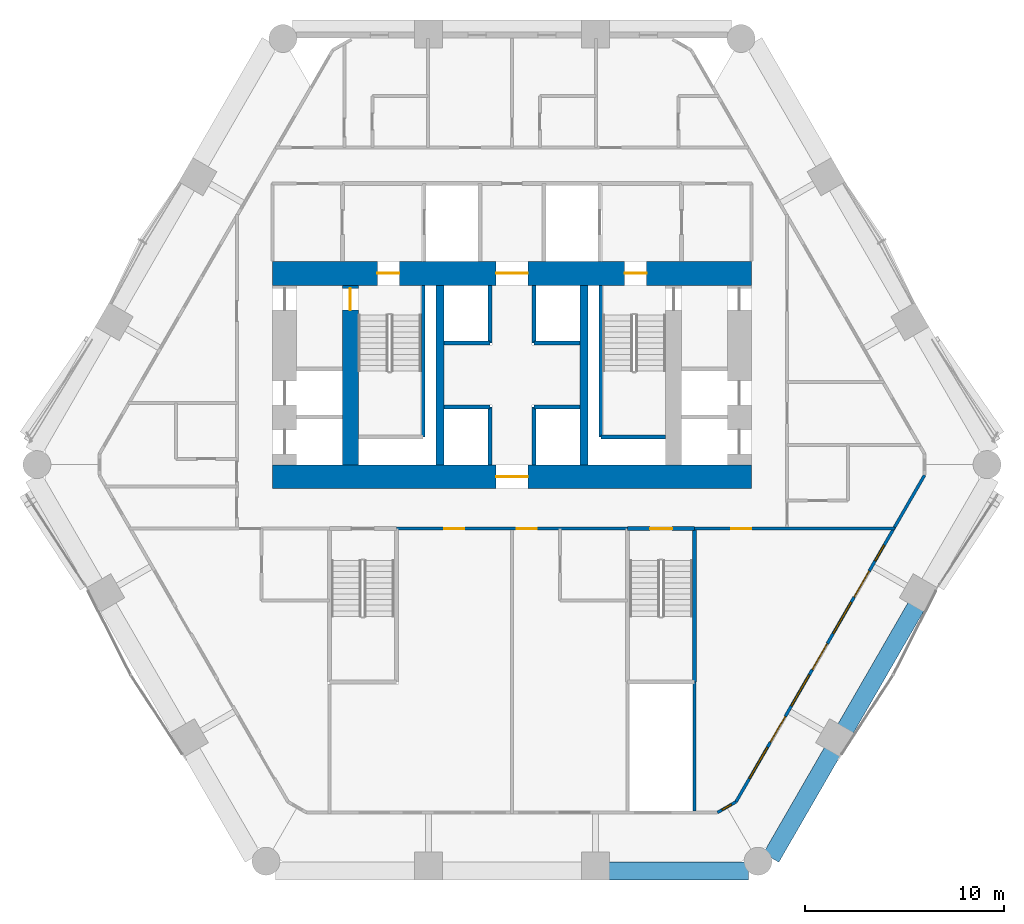
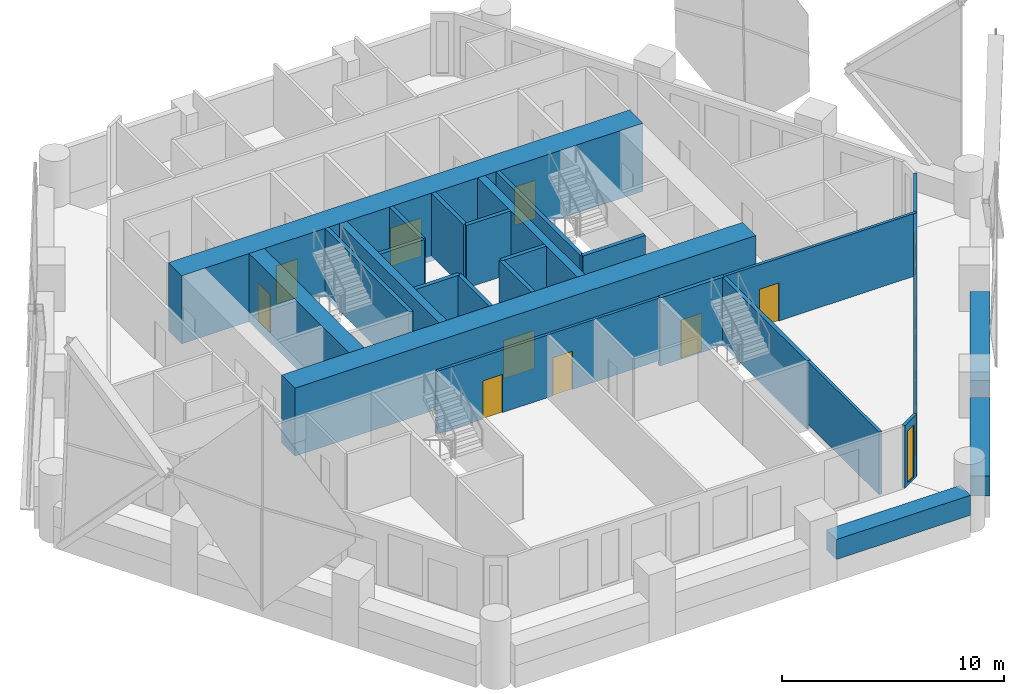
# One storey, part 10 of 16: 26 walls, 12 doors, 5 windows, 17 openings.
"""IFC4 building model written with IfcOpenShell, lengths in metres."""

from ifc_helpers import new_model, si_unit, direction, frame, frame_2d, origin, place, context, subcontext, project, spatial, rectangle, extrude, material, layer, layer_set, type_object, element, fill, save


model = new_model("IFC4")

# Units and contexts
model_context = context("Model", 3, precision=1e-05, world=origin(), true_north=direction((0.0, 1.0)))
body_context = subcontext(model_context, "Body", "Model", "MODEL_VIEW")
ifc_project = project(units=[si_unit("LENGTHUNIT", "METRE"), si_unit("AREAUNIT", "SQUARE_METRE"), si_unit("VOLUMEUNIT", "CUBIC_METRE"), si_unit("PLANEANGLEUNIT", "RADIAN"), si_unit("MASSUNIT", "GRAM", prefix="KILO")], contexts=[model_context])

# Site, building, storey
site_placement = place(None, origin())
site = spatial("IfcSite", under=ifc_project, at=site_placement, CompositionType="ELEMENT")
building_placement = place(site_placement, origin())
building = spatial("IfcBuilding", under=site, at=building_placement, Name="Ostrander Bayou Hotel Tower", CompositionType="ELEMENT")
storey_placement = place(building_placement, frame((0.0, 0.0, 58.0)))
storey = spatial("IfcBuildingStorey", under=building, at=storey_placement, Name="L14", CompositionType="ELEMENT", Elevation=58.0)

# Wall, opening, door
ifc_material_1 = material(Name="Concrete f'c 70 MPa", Category="concrete")
ifc_layer_1 = layer(ifc_material_1, 1.199951171875)
ifc_layer_set_1 = layer_set([ifc_layer_1], Name="CW1 core wall 1200 mm f'c 70 MPa")
wall_type_1 = type_object("IfcWallType", Name="CW1 core wall 1200 mm f'c 70 MPa", PredefinedType="SHEAR", material=ifc_layer_set_1)
wall_1_placement = place(storey_placement, frame((-12.0, -1.10009765625, -0.300048828125), z_axis=(0.0, 0.0, 1.0), x_axis=(1.0, 0.0, 0.0)))
wall_1 = element("IfcWall", 1, at=wall_1_placement, inside=storey, type_object=wall_type_1, Name="CW1 L14 S", PredefinedType="SHEAR", context=body_context, shape_type="SweptSolid", body=[
    extrude(rectangle(XDim=24.0, YDim=1.199951171875, at=frame_2d((12.0, 0.0))), origin(), (0.0, 0.0, 1.0), 3.75),
])
opening_1_placement = place(wall_1_placement, frame((11.199951171875, 0.0, 0.0)))
opening_1 = element("IfcOpeningElement", 2, at=opening_1_placement, cuts=wall_1, Name="Opening T12-001", PredefinedType="OPENING", context=body_context, shape_type="SweptSolid", body=[
    extrude(rectangle(XDim=1.60009765625, YDim=2.10009765625, at=frame_2d((0.800048828125, 1.050048828125))), frame((0.0, 0.60009765625, 0.0), z_axis=(0.0, -1.0, 0.0), x_axis=(1.0, 0.0, 0.0)), (0.0, 0.0, 1.0), 1.199951171875),
])
ifc_material_2 = material(Name="Timber door leaf", Category="wood")
door_type_1 = type_object("IfcDoorType", Name="D13 double door 1600 x 2100 mm, 1 hour", OperationType="SINGLE_SWING_LEFT", PredefinedType="DOOR", material=ifc_material_2)
door_1_placement = place(opening_1_placement, origin())
door_1 = element("IfcDoor", 3, at=door_1_placement, inside=storey, type_object=door_type_1, Name="dr:L14:001", OperationType="DOUBLE_DOOR_SINGLE_SWING", OverallHeight=2.10009765625, OverallWidth=1.60009765625, PredefinedType="DOOR", context=body_context, shape_type="SweptSolid", body=[
    extrude(rectangle(XDim=1.60009765625, YDim=2.10009765625, at=frame_2d((0.800048828125, 1.050048828125))), frame((0.0, 0.02490234375, 0.0), z_axis=(0.0, -1.0, 0.0), x_axis=(1.0, 0.0, 0.0)), (0.0, 0.0, 1.0), 0.050048828125),
])
fill(opening_1, door_1)

# Wall, openings, doors
wall_2_placement = place(storey_placement, frame((-12.0, 9.10009765625, -0.300048828125), z_axis=(0.0, 0.0, 1.0), x_axis=(1.0, 0.0, 0.0)))
wall_2 = element("IfcWall", 4, at=wall_2_placement, inside=storey, type_object=wall_type_1, Name="CW1 L14 N", PredefinedType="SHEAR", context=body_context, shape_type="SweptSolid", body=[
    extrude(rectangle(XDim=24.0, YDim=1.199951171875, at=frame_2d((12.0, 0.0))), origin(), (0.0, 0.0, 1.0), 3.75),
])
opening_2_placement = place(wall_2_placement, frame((11.199951171875, 0.0, 0.0)))
opening_2 = element("IfcOpeningElement", 5, at=opening_2_placement, cuts=wall_2, Name="Opening T12-002", PredefinedType="OPENING", context=body_context, shape_type="SweptSolid", body=[
    extrude(rectangle(XDim=1.60009765625, YDim=2.10009765625, at=frame_2d((0.800048828125, 1.050048828125))), frame((0.0, 0.60009765625, 0.0), z_axis=(0.0, -1.0, 0.0), x_axis=(1.0, 0.0, 0.0)), (0.0, 0.0, 1.0), 1.199951171875),
])
opening_3_placement = place(wall_2_placement, frame((5.25, 0.0, 0.0)))
opening_3 = element("IfcOpeningElement", 6, at=opening_3_placement, cuts=wall_2, Name="Opening T12-003", PredefinedType="OPENING", context=body_context, shape_type="SweptSolid", body=[
    extrude(rectangle(XDim=1.10009765625, YDim=2.10009765625, at=frame_2d((0.550048828125, 1.050048828125))), frame((0.0, 0.60009765625, 0.0), z_axis=(0.0, -1.0, 0.0), x_axis=(1.0, 0.0, 0.0)), (0.0, 0.0, 1.0), 1.199951171875),
])
opening_4_placement = place(wall_2_placement, frame((17.64990234375, 0.0, 0.0)))
opening_4 = element("IfcOpeningElement", 7, at=opening_4_placement, cuts=wall_2, Name="Opening T12-005", PredefinedType="OPENING", context=body_context, shape_type="SweptSolid", body=[
    extrude(rectangle(XDim=1.10009765625, YDim=2.10009765625, at=frame_2d((0.550048828125, 1.050048828125))), frame((0.0, 0.60009765625, 0.0), z_axis=(0.0, -1.0, 0.0), x_axis=(1.0, 0.0, 0.0)), (0.0, 0.0, 1.0), 1.199951171875),
])
door_2_placement = place(opening_2_placement, origin())
door_2 = element("IfcDoor", 8, at=door_2_placement, inside=storey, type_object=door_type_1, Name="dr:L14:002", OperationType="DOUBLE_DOOR_SINGLE_SWING", OverallHeight=2.10009765625, OverallWidth=1.60009765625, PredefinedType="DOOR", context=body_context, shape_type="SweptSolid", body=[
    extrude(rectangle(XDim=1.60009765625, YDim=2.10009765625, at=frame_2d((0.800048828125, 1.050048828125))), frame((0.0, 0.02490234375, 0.0), z_axis=(0.0, -1.0, 0.0), x_axis=(1.0, 0.0, 0.0)), (0.0, 0.0, 1.0), 0.050048828125),
])
fill(opening_2, door_2)
ifc_material_3 = material(Name="Timber door leaf", Category="wood")
door_type_2 = type_object("IfcDoorType", Name="D5 stair door 1100 x 2100 mm, 90 minute", OperationType="SINGLE_SWING_LEFT", PredefinedType="DOOR", material=ifc_material_3)
door_3_placement = place(opening_3_placement, origin())
door_3 = element("IfcDoor", 9, at=door_3_placement, inside=storey, type_object=door_type_2, Name="dr:L14:003", OperationType="SINGLE_SWING_LEFT", OverallHeight=2.10009765625, OverallWidth=1.10009765625, PredefinedType="DOOR", context=body_context, shape_type="SweptSolid", body=[
    extrude(rectangle(XDim=1.10009765625, YDim=2.10009765625, at=frame_2d((0.550048828125, 1.050048828125))), frame((0.0, 0.02490234375, 0.0), z_axis=(0.0, -1.0, 0.0), x_axis=(1.0, 0.0, 0.0)), (0.0, 0.0, 1.0), 0.050048828125),
])
fill(opening_3, door_3)
door_4_placement = place(opening_4_placement, origin())
door_4 = element("IfcDoor", 10, at=door_4_placement, inside=storey, type_object=door_type_2, Name="dr:L14:005", OperationType="SINGLE_SWING_RIGHT", OverallHeight=2.10009765625, OverallWidth=1.10009765625, PredefinedType="DOOR", context=body_context, shape_type="SweptSolid", body=[
    extrude(rectangle(XDim=1.10009765625, YDim=2.10009765625, at=frame_2d((0.550048828125, 1.050048828125))), frame((0.0, 0.02490234375, 0.0), z_axis=(0.0, -1.0, 0.0), x_axis=(1.0, 0.0, 0.0)), (0.0, 0.0, 1.0), 0.050048828125),
])
fill(opening_4, door_4)

# Wall, opening, door
ifc_material_4 = material(Name="Concrete f'c 70 MPa", Category="concrete")
ifc_layer_2 = layer(ifc_material_4, 0.800048828125)
ifc_layer_set_2 = layer_set([ifc_layer_2], Name="CW2 core spine wall 800 mm f'c 70 MPa")
wall_type_2 = type_object("IfcWallType", Name="CW2 core spine wall 800 mm f'c 70 MPa", PredefinedType="SHEAR", material=ifc_layer_set_2)
wall_3_placement = place(storey_placement, frame((-8.10009765625, -0.5, -0.300048828125), z_axis=(0.0, 0.0, 1.0), x_axis=(0.0, 1.0, 0.0)))
wall_3 = element("IfcWall", 11, at=wall_3_placement, inside=storey, type_object=wall_type_2, Name="CW2 L14 W", PredefinedType="SHEAR", context=body_context, shape_type="SweptSolid", body=[
    extrude(rectangle(XDim=9.0, YDim=0.800048828125, at=frame_2d((4.5, 0.0))), origin(), (0.0, 0.0, 1.0), 3.75),
])
opening_5_placement = place(wall_3_placement, frame((7.75, 0.0, 0.0)))
opening_5 = element("IfcOpeningElement", 12, at=opening_5_placement, cuts=wall_3, Name="Opening T12-004", PredefinedType="OPENING", context=body_context, shape_type="SweptSolid", body=[
    extrude(rectangle(XDim=1.10009765625, YDim=2.10009765625, at=frame_2d((0.550048828125, 1.050048828125))), frame((0.0, 0.39990234375, 0.0), z_axis=(0.0, -1.0, 0.0), x_axis=(1.0, 0.0, 0.0)), (0.0, 0.0, 1.0), 0.800048828125),
])
door_5_placement = place(opening_5_placement, origin())
door_5 = element("IfcDoor", 13, at=door_5_placement, inside=storey, type_object=door_type_2, Name="dr:L14:004", OperationType="SINGLE_SWING_RIGHT", OverallHeight=2.10009765625, OverallWidth=1.10009765625, PredefinedType="DOOR", context=body_context, shape_type="SweptSolid", body=[
    extrude(rectangle(XDim=1.10009765625, YDim=2.10009765625, at=frame_2d((0.550048828125, 1.050048828125))), frame((0.0, 0.02490234375, 0.0), z_axis=(0.0, -1.0, 0.0), x_axis=(1.0, 0.0, 0.0)), (0.0, 0.0, 1.0), 0.050048828125),
])
fill(opening_5, door_5)

# Walls
ifc_material_5 = material(Name="Concrete f'c 70 MPa", Category="concrete")
ifc_layer_3 = layer(ifc_material_5, 0.39990234375)
ifc_layer_set_3 = layer_set([ifc_layer_3], Name="CW3 core bank wall 400 mm f'c 70 MPa")
wall_type_3 = type_object("IfcWallType", Name="CW3 core bank wall 400 mm f'c 70 MPa", PredefinedType="SHEAR", material=ifc_layer_set_3)
for number, where, z_axis, x_axis, name in (
    (14, (-3.60009765625, -0.5, -0.300048828125), (0.0, 0.0, 1.0), (0.0, 1.0, 0.0), "CW3 L14 CW"),
    (15, (3.60009765625, -0.5, -0.300048828125), (0.0, 0.0, 1.0), (0.0, 1.0, 0.0), "CW3 L14 CE"),
):
    element("IfcWall", number, at=place(storey_placement, frame(where, z_axis=z_axis, x_axis=x_axis)), inside=storey, type_object=wall_type_3, Name=name, PredefinedType="SHEAR", context=body_context, shape_type="SweptSolid", body=[
        extrude(rectangle(XDim=9.0, YDim=0.39990234375, at=frame_2d((4.5, 0.0))), origin(), (0.0, 0.0, 1.0), 3.75),
    ])

# Wall, openings, doors, windows
ifc_material_6 = material(Name="Aluminium framed insulated wall", Category="aluminium")
ifc_layer_4 = layer(ifc_material_6, 0.14990234375)
ifc_layer_set_4 = layer_set([ifc_layer_4], Name="GW1 glass-line wall 150 mm")
wall_type_4 = type_object("IfcWallType", Name="GW1 glass-line wall 150 mm", PredefinedType="SOLIDWALL", material=ifc_layer_set_4)
wall_4_placement = place(storey_placement, frame((11.228515625, -17.401611328125, 0.0), z_axis=(0.0, 0.0, 1.0), x_axis=(0.500004426522, 0.866022848116, 0.0)))
wall_4 = element("IfcWall", 16, at=wall_4_placement, inside=storey, type_object=wall_type_4, Name="GW1 L14 SE 1", PredefinedType="SOLIDWALL", context=body_context, shape_type="SweptSolid", body=[
    extrude(rectangle(XDim=18.911865234375, YDim=0.14990234375, at=frame_2d((9.4560546875, 0.0))), origin(), (0.0, 0.0, 1.0), 3.449951171875),
])
opening_6_placement = place(wall_4_placement, frame((1.35595703125, 0.0, 0.14990234375)))
opening_6 = element("IfcOpeningElement", 17, at=opening_6_placement, cuts=wall_4, Name="Opening W1", PredefinedType="OPENING", context=body_context, shape_type="SweptSolid", body=[
    extrude(rectangle(XDim=1.800048828125, YDim=2.85009765625, at=frame_2d((0.89990234375, 1.425048828125))), frame((0.0, 0.074951171875, 0.0), z_axis=(0.0, -1.0, 0.0), x_axis=(1.0, 0.0, 0.0)), (0.0, 0.0, 1.0), 0.14990234375),
])
opening_7_placement = place(wall_4_placement, frame((3.455810546875, 0.0, 0.0)))
opening_7 = element("IfcOpeningElement", 18, at=opening_7_placement, cuts=wall_4, Name="Opening T12-804", PredefinedType="OPENING", context=body_context, shape_type="SweptSolid", body=[
    extrude(rectangle(XDim=1.5, YDim=2.39990234375, at=frame_2d((0.75, 1.199951171875))), frame((0.0, 0.074951171875, 0.0), z_axis=(0.0, -1.0, 0.0), x_axis=(1.0, 0.0, 0.0)), (0.0, 0.0, 1.0), 0.14990234375),
])
opening_8_placement = place(wall_4_placement, frame((5.555908203125, 0.0, 0.14990234375)))
opening_8 = element("IfcOpeningElement", 19, at=opening_8_placement, cuts=wall_4, Name="Opening W1", PredefinedType="OPENING", context=body_context, shape_type="SweptSolid", body=[
    extrude(rectangle(XDim=1.800048828125, YDim=2.85009765625, at=frame_2d((0.89990234375, 1.425048828125))), frame((0.0, 0.074951171875, 0.0), z_axis=(0.0, -1.0, 0.0), x_axis=(1.0, 0.0, 0.0)), (0.0, 0.0, 1.0), 0.14990234375),
])
opening_9_placement = place(wall_4_placement, frame((7.656005859375, 0.0, 0.0)))
opening_9 = element("IfcOpeningElement", 20, at=opening_9_placement, cuts=wall_4, Name="Opening T12-805", PredefinedType="OPENING", context=body_context, shape_type="SweptSolid", body=[
    extrude(rectangle(XDim=1.5, YDim=2.39990234375, at=frame_2d((0.75, 1.199951171875))), frame((0.0, 0.074951171875, 0.0), z_axis=(0.0, -1.0, 0.0), x_axis=(1.0, 0.0, 0.0)), (0.0, 0.0, 1.0), 0.14990234375),
])
opening_10_placement = place(wall_4_placement, frame((9.755859375, 0.0, 0.14990234375)))
opening_10 = element("IfcOpeningElement", 21, at=opening_10_placement, cuts=wall_4, Name="Opening W1", PredefinedType="OPENING", context=body_context, shape_type="SweptSolid", body=[
    extrude(rectangle(XDim=1.800048828125, YDim=2.85009765625, at=frame_2d((0.89990234375, 1.425048828125))), frame((0.0, 0.074951171875, 0.0), z_axis=(0.0, -1.0, 0.0), x_axis=(1.0, 0.0, 0.0)), (0.0, 0.0, 1.0), 0.14990234375),
])
opening_11_placement = place(wall_4_placement, frame((11.85595703125, 0.0, 0.0)))
opening_11 = element("IfcOpeningElement", 22, at=opening_11_placement, cuts=wall_4, Name="Opening T12-806", PredefinedType="OPENING", context=body_context, shape_type="SweptSolid", body=[
    extrude(rectangle(XDim=1.5, YDim=2.39990234375, at=frame_2d((0.75, 1.199951171875))), frame((0.0, 0.074951171875, 0.0), z_axis=(0.0, -1.0, 0.0), x_axis=(1.0, 0.0, 0.0)), (0.0, 0.0, 1.0), 0.14990234375),
])
opening_12_placement = place(wall_4_placement, frame((13.955810546875, 0.0, 0.14990234375)))
opening_12 = element("IfcOpeningElement", 23, at=opening_12_placement, cuts=wall_4, Name="Opening W15", PredefinedType="OPENING", context=body_context, shape_type="SweptSolid", body=[
    extrude(rectangle(XDim=0.89990234375, YDim=2.85009765625, at=frame_2d((0.449951171875, 1.425048828125))), frame((0.0, 0.074951171875, 0.0), z_axis=(0.0, -1.0, 0.0), x_axis=(1.0, 0.0, 0.0)), (0.0, 0.0, 1.0), 0.14990234375),
])
ifc_material_7 = material(Name="Aluminium and clear glass", Category="aluminium")
door_type_3 = type_object("IfcDoorType", Name="SD1 sliding glass door 1500 mm, zone 1", OperationType="SLIDING_TO_LEFT", PredefinedType="DOOR", material=ifc_material_7)
door_6_placement = place(opening_7_placement, origin())
door_6 = element("IfcDoor", 24, at=door_6_placement, inside=storey, type_object=door_type_3, Name="SD1 L14 SE 1", OperationType="SLIDING_TO_LEFT", OverallHeight=2.39990234375, OverallWidth=1.5, PredefinedType="DOOR", context=body_context, shape_type="SweptSolid", body=[
    extrude(rectangle(XDim=1.5, YDim=2.39990234375, at=frame_2d((0.75, 1.199951171875))), frame((0.0, 0.02490234375, 0.0), z_axis=(0.0, -1.0, 0.0), x_axis=(1.0, 0.0, 0.0)), (0.0, 0.0, 1.0), 0.050048828125),
])
fill(opening_7, door_6)
door_7_placement = place(opening_9_placement, origin())
door_7 = element("IfcDoor", 25, at=door_7_placement, inside=storey, type_object=door_type_3, Name="SD1 L14 SE 2", OperationType="SLIDING_TO_RIGHT", OverallHeight=2.39990234375, OverallWidth=1.5, PredefinedType="DOOR", context=body_context, shape_type="SweptSolid", body=[
    extrude(rectangle(XDim=1.5, YDim=2.39990234375, at=frame_2d((0.75, 1.199951171875))), frame((0.0, 0.02490234375, 0.0), z_axis=(0.0, -1.0, 0.0), x_axis=(1.0, 0.0, 0.0)), (0.0, 0.0, 1.0), 0.050048828125),
])
fill(opening_9, door_7)
door_8_placement = place(opening_11_placement, origin())
door_8 = element("IfcDoor", 26, at=door_8_placement, inside=storey, type_object=door_type_3, Name="SD1 L14 SE 3", OperationType="SLIDING_TO_LEFT", OverallHeight=2.39990234375, OverallWidth=1.5, PredefinedType="DOOR", context=body_context, shape_type="SweptSolid", body=[
    extrude(rectangle(XDim=1.5, YDim=2.39990234375, at=frame_2d((0.75, 1.199951171875))), frame((0.0, 0.02490234375, 0.0), z_axis=(0.0, -1.0, 0.0), x_axis=(1.0, 0.0, 0.0)), (0.0, 0.0, 1.0), 0.050048828125),
])
fill(opening_11, door_8)
ifc_material_8 = material(Name="Aluminium and clear glass", Category="aluminium")
window_type_1 = type_object("IfcWindowType", Name="W1 fixed window 1800 mm, zone 1", PartitioningType="SINGLE_PANEL", PredefinedType="WINDOW", material=ifc_material_8)
window_1_placement = place(opening_6_placement, origin())
window_1 = element("IfcWindow", 27, at=window_1_placement, inside=storey, type_object=window_type_1, Name="W1 L14 SE 1", OverallHeight=2.85009765625, OverallWidth=1.800048828125, PartitioningType="SINGLE_PANEL", PredefinedType="WINDOW", context=body_context, shape_type="SweptSolid", body=[
    extrude(rectangle(XDim=1.800048828125, YDim=2.85009765625, at=frame_2d((0.89990234375, 1.425048828125))), frame((0.0, 0.030029296875, 0.0), z_axis=(0.0, -1.0, 0.0), x_axis=(1.0, 0.0, 0.0)), (0.0, 0.0, 1.0), 0.06005859375),
])
fill(opening_6, window_1)
window_2_placement = place(opening_8_placement, origin())
window_2 = element("IfcWindow", 28, at=window_2_placement, inside=storey, type_object=window_type_1, Name="W1 L14 SE 2", OverallHeight=2.85009765625, OverallWidth=1.800048828125, PartitioningType="SINGLE_PANEL", PredefinedType="WINDOW", context=body_context, shape_type="SweptSolid", body=[
    extrude(rectangle(XDim=1.800048828125, YDim=2.85009765625, at=frame_2d((0.89990234375, 1.425048828125))), frame((0.0, 0.030029296875, 0.0), z_axis=(0.0, -1.0, 0.0), x_axis=(1.0, 0.0, 0.0)), (0.0, 0.0, 1.0), 0.06005859375),
])
fill(opening_8, window_2)
window_3_placement = place(opening_10_placement, origin())
window_3 = element("IfcWindow", 29, at=window_3_placement, inside=storey, type_object=window_type_1, Name="W1 L14 SE 3", OverallHeight=2.85009765625, OverallWidth=1.800048828125, PartitioningType="SINGLE_PANEL", PredefinedType="WINDOW", context=body_context, shape_type="SweptSolid", body=[
    extrude(rectangle(XDim=1.800048828125, YDim=2.85009765625, at=frame_2d((0.89990234375, 1.425048828125))), frame((0.0, 0.030029296875, 0.0), z_axis=(0.0, -1.0, 0.0), x_axis=(1.0, 0.0, 0.0)), (0.0, 0.0, 1.0), 0.06005859375),
])
fill(opening_10, window_3)
ifc_material_9 = material(Name="Aluminium and clear glass", Category="aluminium")
window_type_2 = type_object("IfcWindowType", Name="W15 window 900 mm, zone 1", PartitioningType="SINGLE_PANEL", PredefinedType="WINDOW", material=ifc_material_9)
window_4_placement = place(opening_12_placement, origin())
window_4 = element("IfcWindow", 30, at=window_4_placement, inside=storey, type_object=window_type_2, Name="W15 L14 SE 4", OverallHeight=2.85009765625, OverallWidth=0.89990234375, PartitioningType="SINGLE_PANEL", PredefinedType="WINDOW", context=body_context, shape_type="SweptSolid", body=[
    extrude(rectangle(XDim=0.89990234375, YDim=2.85009765625, at=frame_2d((0.449951171875, 1.425048828125))), frame((0.0, 0.030029296875, 0.0), z_axis=(0.0, -1.0, 0.0), x_axis=(1.0, 0.0, 0.0)), (0.0, 0.0, 1.0), 0.06005859375),
])
fill(opening_12, window_4)

# Wall, opening, window
wall_5_placement = place(storey_placement, frame((10.306396484375, -17.93408203125, 0.0), z_axis=(0.0, 0.0, 1.0), x_axis=(0.865990848561, 0.500059846627, 0.0)))
wall_5 = element("IfcWall", 31, at=wall_5_placement, inside=storey, type_object=wall_type_4, Name="GW1 L14 corner 4", PredefinedType="SOLIDWALL", context=body_context, shape_type="SweptSolid", body=[
    extrude(rectangle(XDim=1.064697265625, YDim=0.14990234375, at=frame_2d((0.5322265625, 0.0))), origin(), (0.0, 0.0, 1.0), 3.449951171875),
])
opening_13_placement = place(wall_5_placement, frame((0.257568359375, 0.0, 0.14990234375)))
opening_13 = element("IfcOpeningElement", 32, at=opening_13_placement, cuts=wall_5, Name="Opening W19", PredefinedType="OPENING", context=body_context, shape_type="SweptSolid", body=[
    extrude(rectangle(XDim=0.550048828125, YDim=2.85009765625, at=frame_2d((0.27490234375, 1.425048828125))), frame((0.0, 0.074951171875, 0.0), z_axis=(0.0, -1.0, 0.0), x_axis=(1.0, 0.0, 0.0)), (0.0, 0.0, 1.0), 0.14990234375),
])
ifc_material_10 = material(Name="Aluminium and clear glass", Category="aluminium")
window_type_3 = type_object("IfcWindowType", Name="W19 corner window 550 mm", PartitioningType="SINGLE_PANEL", PredefinedType="WINDOW", material=ifc_material_10)
window_5_placement = place(opening_13_placement, origin())
window_5 = element("IfcWindow", 33, at=window_5_placement, inside=storey, type_object=window_type_3, Name="W19 L14 corner 4", OverallHeight=2.85009765625, OverallWidth=0.550048828125, PartitioningType="SINGLE_PANEL", PredefinedType="WINDOW", context=body_context, shape_type="SweptSolid", body=[
    extrude(rectangle(XDim=0.550048828125, YDim=2.85009765625, at=frame_2d((0.27490234375, 1.425048828125))), frame((0.0, 0.030029296875, 0.0), z_axis=(0.0, -1.0, 0.0), x_axis=(1.0, 0.0, 0.0)), (0.0, 0.0, 1.0), 0.06005859375),
])
fill(opening_13, window_5)

# Walls
ifc_material_11 = material(Name="Concrete f'c 40 MPa", Category="concrete")
ifc_layer_5 = layer(ifc_material_11, 0.89990234375)
ifc_layer_set_5 = layer_set([ifc_layer_5], Name="PA1 stone-faced parapet 900 mm")
wall_type_5 = type_object("IfcWallType", Name="PA1 stone-faced parapet 900 mm", PredefinedType="PARAPET", material=ifc_layer_set_5)
wall_6_placement = place(storey_placement, frame((4.865478515625, -20.85888671875, 0.0), z_axis=(0.0, 0.0, 1.0), x_axis=(1.0, 0.0, 0.0)))
element("IfcWall", 34, at=wall_6_placement, inside=storey, type_object=wall_type_5, Name="PA1 L14 S-3", PredefinedType="PARAPET", context=body_context, shape_type="SweptSolid", body=[
    extrude(rectangle(XDim=6.98681640625, YDim=0.89990234375, at=frame_2d((3.493408203125, 0.0))), origin(), (0.0, 0.0, 1.0), 1.10009765625),
])
ifc_material_12 = material(Name="Limestone masonry", Category="masonry")
ifc_layer_6 = layer(ifc_material_12, 0.89990234375)
ifc_layer_set_6 = layer_set([ifc_layer_6], Name="PA2 limestone parapet 900 mm")
wall_type_6 = type_object("IfcWallType", Name="PA2 limestone parapet 900 mm", PredefinedType="PARAPET", material=ifc_layer_set_6)
wall_7_placement = place(storey_placement, frame((12.988525390625, -20.203125, 0.0), z_axis=(0.0, 0.0, 1.0), x_axis=(0.500007141444, 0.86602128063, 0.0)))
element("IfcWall", 35, at=wall_7_placement, inside=storey, type_object=wall_type_6, Name="PA2 L14 SE-1", PredefinedType="PARAPET", context=body_context, shape_type="SweptSolid", body=[
    extrude(rectangle(XDim=6.13671875, YDim=0.89990234375, at=frame_2d((3.068359375, 0.0))), origin(), (0.0, 0.0, 1.0), 1.10009765625),
])
wall_8_placement = place(storey_placement, frame((16.726806640625, -13.72802734375, 0.0), z_axis=(0.0, 0.0, 1.0), x_axis=(0.499997206141, 0.866027016814, 0.0)))
element("IfcWall", 36, at=wall_8_placement, inside=storey, type_object=wall_type_6, Name="PA2 L14 SE-2", PredefinedType="PARAPET", context=body_context, shape_type="SweptSolid", body=[
    extrude(rectangle(XDim=7.05078125, YDim=0.89990234375, at=frame_2d((3.525390625, 0.0))), origin(), (0.0, 0.0, 1.0), 1.10009765625),
])
ifc_material_13 = material(Name="Masonry block", Category="masonry")
ifc_layer_7 = layer(ifc_material_13, 0.199951171875)
ifc_layer_set_7 = layer_set([ifc_layer_7], Name="PT6 lift shaft wall 200 mm masonry, 2 hour")
wall_type_7 = type_object("IfcWallType", Name="PT6 lift shaft wall 200 mm masonry, 2 hour", PredefinedType="PARTITIONING", material=ifc_layer_set_7)
for number, where, z_axis, x_axis, name in (
    (37, (-3.39990234375, 2.39990234375, 0.0), (0.0, 0.0, 1.0), (1.0, 0.0, 0.0), "cs:L14:001"),
    (38, (-3.39990234375, 5.60009765625, 0.0), (0.0, 0.0, 1.0), (1.0, 0.0, 0.0), "cs:L14:002"),
    (39, (1.10009765625, 2.39990234375, 0.0), (0.0, 0.0, 1.0), (1.0, 0.0, 0.0), "cs:L14:003"),
    (40, (1.10009765625, 5.60009765625, 0.0), (0.0, 0.0, 1.0), (1.0, 0.0, 0.0), "cs:L14:004"),
):
    element("IfcWall", number, at=place(storey_placement, frame(where, z_axis=z_axis, x_axis=x_axis)), inside=storey, type_object=wall_type_7, Name=name, PredefinedType="PARTITIONING", context=body_context, shape_type="SweptSolid", body=[
        extrude(rectangle(XDim=2.2998046875, YDim=0.199951171875, at=frame_2d((1.14990234375, 0.0))), origin(), (0.0, 0.0, 1.0), 3.449951171875),
    ])
for number, where, z_axis, x_axis, name in (
    (41, (-1.10009765625, -0.5, 0.0), (0.0, 0.0, 1.0), (0.0, 1.0, 0.0), "cs:L14:005"),
    (42, (1.10009765625, -0.5, 0.0), (0.0, 0.0, 1.0), (0.0, 1.0, 0.0), "cs:L14:006"),
    (43, (-1.10009765625, 5.60009765625, 0.0), (0.0, 0.0, 1.0), (0.0, 1.0, 0.0), "cs:L14:007"),
    (44, (1.10009765625, 5.60009765625, 0.0), (0.0, 0.0, 1.0), (0.0, 1.0, 0.0), "cs:L14:008"),
):
    element("IfcWall", number, at=place(storey_placement, frame(where, z_axis=z_axis, x_axis=x_axis)), inside=storey, type_object=wall_type_7, Name=name, PredefinedType="PARTITIONING", context=body_context, shape_type="SweptSolid", body=[
        extrude(rectangle(XDim=2.89990234375, YDim=0.199951171875, at=frame_2d((1.449951171875, 0.0))), origin(), (0.0, 0.0, 1.0), 3.449951171875),
    ])
ifc_material_14 = material(Name="Gypsum board partition", Category="finish")
ifc_layer_8 = layer(ifc_material_14, 0.14990234375)
ifc_layer_set_8 = layer_set([ifc_layer_8], Name="PT7 riser wall 150 mm, 2 hour")
wall_type_8 = type_object("IfcWallType", Name="PT7 riser wall 150 mm, 2 hour", PredefinedType="PARTITIONING", material=ifc_layer_set_8)
wall_9_placement = place(storey_placement, frame((9.14990234375, -11.39990234375, 0.0), z_axis=(0.0, 0.0, 1.0), x_axis=(0.0, -1.0, 0.0)))
element("IfcWall", 45, at=wall_9_placement, inside=storey, type_object=wall_type_8, Name="cs:L14:018", PredefinedType="PARTITIONING", context=body_context, shape_type="SweptSolid", body=[
    extrude(rectangle(XDim=6.458984375, YDim=0.14990234375, at=frame_2d((3.2294921875, 0.0))), origin(), (0.0, 0.0, 1.0), 3.449951171875),
])

# Wall, openings, doors
ifc_material_15 = material(Name="Gypsum board partition", Category="finish")
ifc_layer_9 = layer(ifc_material_15, 0.14990234375)
ifc_layer_set_9 = layer_set([ifc_layer_9], Name="PT8 service band wall 150 mm, 1 hour")
wall_type_9 = type_object("IfcWallType", Name="PT8 service band wall 150 mm, 1 hour", PredefinedType="PARTITIONING", material=ifc_layer_set_9)
wall_10_placement = place(storey_placement, frame((-5.7900390625, -3.699951171875, 0.0), z_axis=(0.0, 0.0, 1.0), x_axis=(1.0, 0.0, 0.0)))
wall_10 = element("IfcWall", 46, at=wall_10_placement, inside=storey, type_object=wall_type_9, Name="gw:L14:004", PredefinedType="PARTITIONING", context=body_context, shape_type="SweptSolid", body=[
    extrude(rectangle(XDim=11.580078125, YDim=0.14990234375, at=frame_2d((5.7900390625, 0.0))), origin(), (0.0, 0.0, 1.0), 3.449951171875),
])
opening_14_placement = place(wall_10_placement, frame((2.389892578125, 0.0, 0.0)))
opening_14 = element("IfcOpeningElement", 47, at=opening_14_placement, cuts=wall_10, Name="Opening T12-400", PredefinedType="OPENING", context=body_context, shape_type="SweptSolid", body=[
    extrude(rectangle(XDim=1.0, YDim=2.10009765625, at=frame_2d((0.5, 1.050048828125))), frame((0.0, 0.074951171875, 0.0), z_axis=(0.0, -1.0, 0.0), x_axis=(1.0, 0.0, 0.0)), (0.0, 0.0, 1.0), 0.14990234375),
])
opening_15_placement = place(wall_10_placement, frame((6.0400390625, 0.0, 0.0)))
opening_15 = element("IfcOpeningElement", 48, at=opening_15_placement, cuts=wall_10, Name="Opening T12-403", PredefinedType="OPENING", context=body_context, shape_type="SweptSolid", body=[
    extrude(rectangle(XDim=1.0, YDim=2.10009765625, at=frame_2d((0.5, 1.050048828125))), frame((0.0, 0.074951171875, 0.0), z_axis=(0.0, -1.0, 0.0), x_axis=(1.0, 0.0, 0.0)), (0.0, 0.0, 1.0), 0.14990234375),
])
ifc_material_16 = material(Name="Timber door leaf", Category="wood")
door_type_4 = type_object("IfcDoorType", Name="D1 guest room door 1000 x 2100 mm, 30 minute", OperationType="SINGLE_SWING_LEFT", PredefinedType="DOOR", material=ifc_material_16)
door_9_placement = place(opening_15_placement, origin())
door_9 = element("IfcDoor", 49, at=door_9_placement, inside=storey, type_object=door_type_4, Name="dr:L14:403", OperationType="SINGLE_SWING_LEFT", OverallHeight=2.10009765625, OverallWidth=1.0, PredefinedType="DOOR", context=body_context, shape_type="SweptSolid", body=[
    extrude(rectangle(XDim=1.0, YDim=2.10009765625, at=frame_2d((0.5, 1.050048828125))), frame((0.0, 0.02490234375, 0.0), z_axis=(0.0, -1.0, 0.0), x_axis=(1.0, 0.0, 0.0)), (0.0, 0.0, 1.0), 0.050048828125),
])
fill(opening_15, door_9)
ifc_material_17 = material(Name="Timber door leaf", Category="wood")
door_type_5 = type_object("IfcDoorType", Name="D9 service door 1000 x 2100 mm, 30 minute", OperationType="SINGLE_SWING_LEFT", PredefinedType="DOOR", material=ifc_material_17)
door_10_placement = place(opening_14_placement, origin())
door_10 = element("IfcDoor", 50, at=door_10_placement, inside=storey, type_object=door_type_5, Name="dr:L14:400", OperationType="SINGLE_SWING_RIGHT", OverallHeight=2.10009765625, OverallWidth=1.0, PredefinedType="DOOR", context=body_context, shape_type="SweptSolid", body=[
    extrude(rectangle(XDim=1.0, YDim=2.10009765625, at=frame_2d((0.5, 1.050048828125))), frame((0.0, 0.02490234375, 0.0), z_axis=(0.0, -1.0, 0.0), x_axis=(1.0, 0.0, 0.0)), (0.0, 0.0, 1.0), 0.050048828125),
])
fill(opening_14, door_10)

# Wall, opening, door
wall_11_placement = place(storey_placement, frame((9.159912109375, -3.699951171875, 0.0), z_axis=(0.0, 0.0, 1.0), x_axis=(1.0, 0.0, 0.0)))
wall_11 = element("IfcWall", 51, at=wall_11_placement, inside=storey, type_object=wall_type_9, Name="gw:L14:005", PredefinedType="PARTITIONING", context=body_context, shape_type="SweptSolid", body=[
    extrude(rectangle(XDim=10.031005859375, YDim=0.14990234375, at=frame_2d((5.015625, 0.0))), origin(), (0.0, 0.0, 1.0), 3.449951171875),
])
opening_16_placement = place(wall_11_placement, frame((1.840087890625, 0.0, 0.0)))
opening_16 = element("IfcOpeningElement", 52, at=opening_16_placement, cuts=wall_11, Name="Opening T12-405", PredefinedType="OPENING", context=body_context, shape_type="SweptSolid", body=[
    extrude(rectangle(XDim=1.0, YDim=2.10009765625, at=frame_2d((0.5, 1.050048828125))), frame((0.0, 0.074951171875, 0.0), z_axis=(0.0, -1.0, 0.0), x_axis=(1.0, 0.0, 0.0)), (0.0, 0.0, 1.0), 0.14990234375),
])
ifc_material_18 = material(Name="Timber door leaf", Category="wood")
door_type_6 = type_object("IfcDoorType", Name="D15 room door 1000 x 2100 mm", OperationType="SINGLE_SWING_LEFT", PredefinedType="DOOR", material=ifc_material_18)
door_11_placement = place(opening_16_placement, origin())
door_11 = element("IfcDoor", 53, at=door_11_placement, inside=storey, type_object=door_type_6, Name="dr:L14:405", OperationType="SINGLE_SWING_LEFT", OverallHeight=2.10009765625, OverallWidth=1.0, PredefinedType="DOOR", context=body_context, shape_type="SweptSolid", body=[
    extrude(rectangle(XDim=1.0, YDim=2.10009765625, at=frame_2d((0.5, 1.050048828125))), frame((0.0, 0.02490234375, 0.0), z_axis=(0.0, -1.0, 0.0), x_axis=(1.0, 0.0, 0.0)), (0.0, 0.0, 1.0), 0.050048828125),
])
fill(opening_16, door_11)

# Walls
ifc_material_19 = material(Name="Concrete f'c 45 MPa", Category="concrete")
ifc_layer_10 = layer(ifc_material_19, 0.199951171875)
ifc_layer_set_10 = layer_set([ifc_layer_10], Name="SW5 stair enclosure wall 200 mm f'c 45 MPa")
wall_type_10 = type_object("IfcWallType", Name="SW5 stair enclosure wall 200 mm f'c 45 MPa", PredefinedType="SOLIDWALL", material=ifc_layer_set_10)
for number, where, z_axis, x_axis, name in (
    (54, (-4.449951171875, 0.89990234375, -0.300048828125), (0.0, 0.0, 1.0), (0.0, 1.0, 0.0), "cs:L14:009"),
    (55, (4.449951171875, 0.89990234375, -0.300048828125), (0.0, 0.0, 1.0), (0.0, 1.0, 0.0), "cs:L14:011"),
):
    element("IfcWall", number, at=place(storey_placement, frame(where, z_axis=z_axis, x_axis=x_axis)), inside=storey, type_object=wall_type_10, Name=name, PredefinedType="SOLIDWALL", context=body_context, shape_type="SweptSolid", body=[
        extrude(rectangle(XDim=7.60009765625, YDim=0.199951171875, at=frame_2d((3.800048828125, 0.0))), origin(), (0.0, 0.0, 1.0), 3.75),
    ])
wall_12_placement = place(storey_placement, frame((4.449951171875, 0.89990234375, -0.300048828125), z_axis=(0.0, 0.0, 1.0), x_axis=(1.0, 0.0, 0.0)))
element("IfcWall", 56, at=wall_12_placement, inside=storey, type_object=wall_type_10, Name="cs:L14:012", PredefinedType="SOLIDWALL", context=body_context, shape_type="SweptSolid", body=[
    extrude(rectangle(XDim=3.25, YDim=0.199951171875, at=frame_2d((1.625, 0.0))), origin(), (0.0, 0.0, 1.0), 3.75),
])

# Wall, opening, door
wall_13_placement = place(storey_placement, frame((5.800048828125, -3.699951171875, -0.300048828125), z_axis=(0.0, 0.0, 1.0), x_axis=(1.0, 0.0, 0.0)))
wall_13 = element("IfcWall", 57, at=wall_13_placement, inside=storey, type_object=wall_type_10, Name="cs:L14:013", PredefinedType="SOLIDWALL", context=body_context, shape_type="SweptSolid", body=[
    extrude(rectangle(XDim=3.349853515625, YDim=0.199951171875, at=frame_2d((1.6748046875, 0.0))), origin(), (0.0, 0.0, 1.0), 3.75),
])
opening_17_placement = place(wall_13_placement, frame((1.125, 0.0, 0.0)))
opening_17 = element("IfcOpeningElement", 58, at=opening_17_placement, cuts=wall_13, Name="Opening T12-007", PredefinedType="OPENING", context=body_context, shape_type="SweptSolid", body=[
    extrude(rectangle(XDim=1.10009765625, YDim=2.10009765625, at=frame_2d((0.550048828125, 1.050048828125))), frame((0.0, 0.10009765625, 0.0), z_axis=(0.0, -1.0, 0.0), x_axis=(1.0, 0.0, 0.0)), (0.0, 0.0, 1.0), 0.199951171875),
])
door_12_placement = place(opening_17_placement, origin())
door_12 = element("IfcDoor", 59, at=door_12_placement, inside=storey, type_object=door_type_2, Name="dr:L14:007", OperationType="SINGLE_SWING_LEFT", OverallHeight=2.10009765625, OverallWidth=1.10009765625, PredefinedType="DOOR", context=body_context, shape_type="SweptSolid", body=[
    extrude(rectangle(XDim=1.10009765625, YDim=2.10009765625, at=frame_2d((0.550048828125, 1.050048828125))), frame((0.0, 0.02490234375, 0.0), z_axis=(0.0, -1.0, 0.0), x_axis=(1.0, 0.0, 0.0)), (0.0, 0.0, 1.0), 0.050048828125),
])
fill(opening_17, door_12)

# Wall
wall_14_placement = place(storey_placement, frame((9.14990234375, -3.699951171875, -0.300048828125), z_axis=(0.0, 0.0, 1.0), x_axis=(0.0, -1.0, 0.0)))
element("IfcWall", 60, at=wall_14_placement, inside=storey, type_object=wall_type_10, Name="cs:L14:015", PredefinedType="SOLIDWALL", context=body_context, shape_type="SweptSolid", body=[
    extrude(rectangle(XDim=7.699951171875, YDim=0.199951171875, at=frame_2d((3.85009765625, 0.0))), origin(), (0.0, 0.0, 1.0), 3.75),
])

save(model, "model.ifc")
